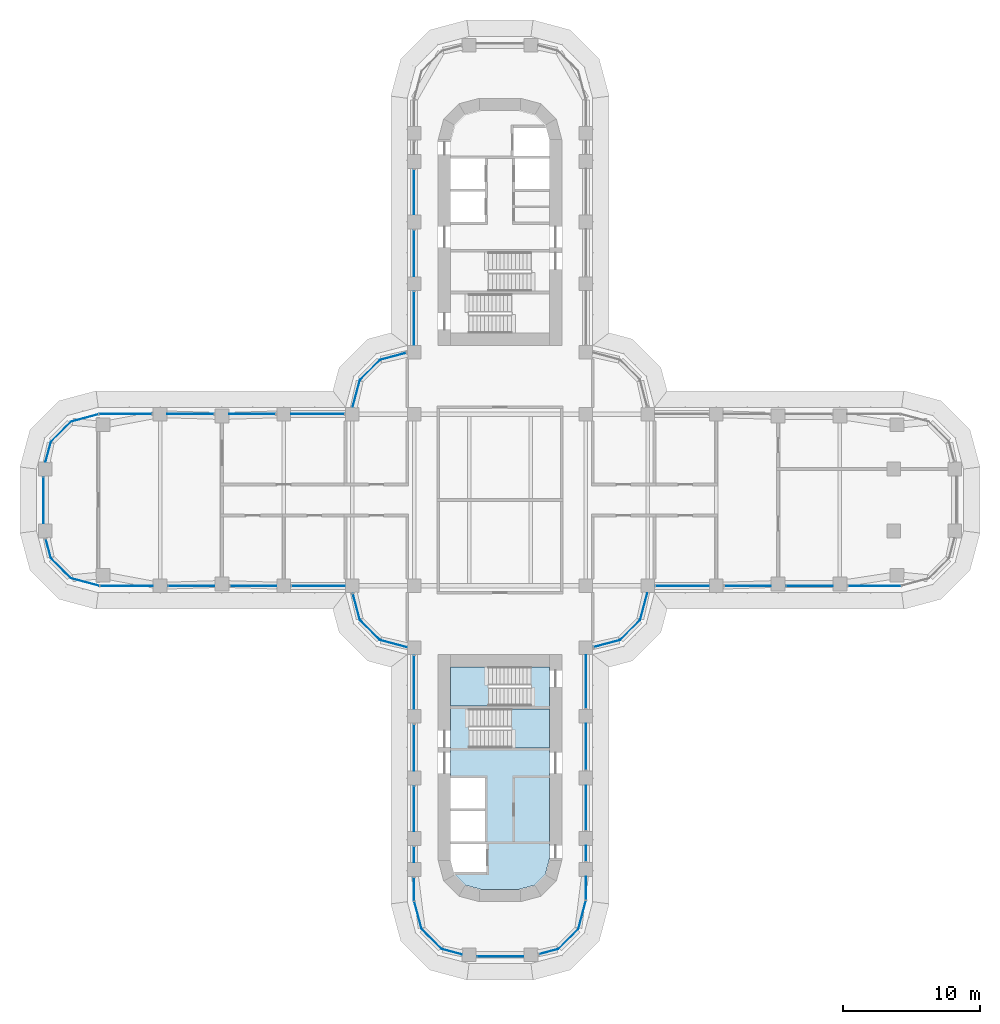
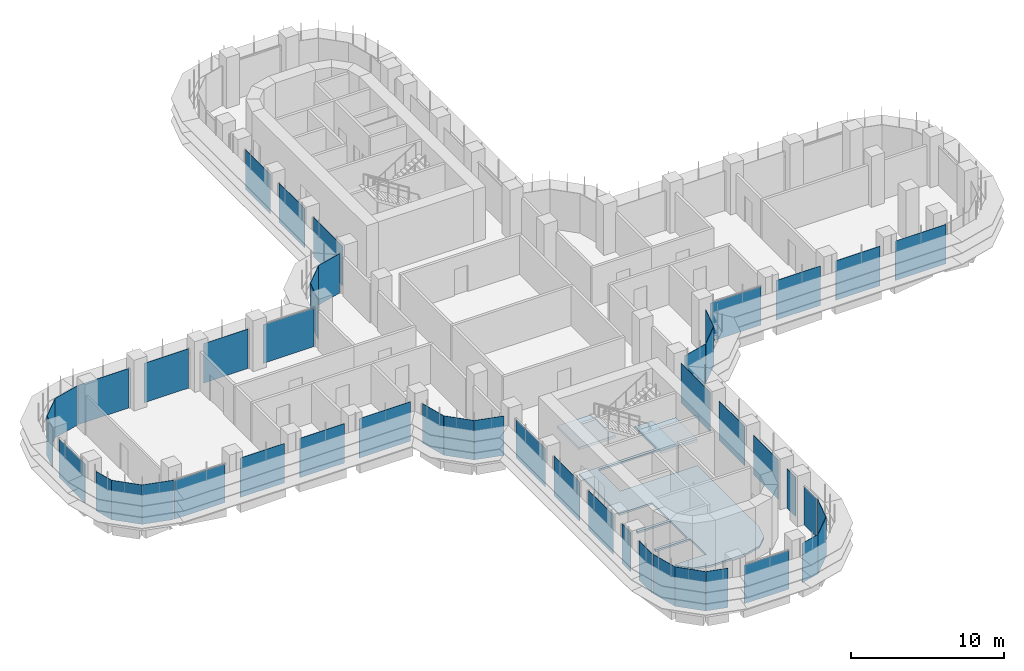
# One storey, part 13 of 23: 48 plates, 3 slabs, 31 elements without a shape of their own.
"""IFC4 building model written with IfcOpenShell, lengths in metres."""

from ifc_helpers import new_model, si_unit, direction, frame, origin, place, context, subcontext, project, spatial, polyline, outline, extrude, source, transform, mapped, material, layer, layer_set, type_object, element, aggregate, save


model = new_model("IFC4")

# Units and contexts
model_context = context("Model", 3, precision=1e-05, world=origin(), true_north=direction((0.0, 1.0)))
body_context = subcontext(model_context, "Body", "Model", "MODEL_VIEW")
ifc_project = project(units=[si_unit("LENGTHUNIT", "METRE"), si_unit("AREAUNIT", "SQUARE_METRE"), si_unit("VOLUMEUNIT", "CUBIC_METRE"), si_unit("PLANEANGLEUNIT", "RADIAN"), si_unit("MASSUNIT", "GRAM", prefix="KILO")], contexts=[model_context])

# Site, building, storey
site_placement = place(None, origin())
site = spatial("IfcSite", under=ifc_project, at=site_placement, CompositionType="ELEMENT")
building_placement = place(site_placement, origin())
building = spatial("IfcBuilding", under=site, at=building_placement, Name="Zarbagh Exchange Tower", CompositionType="ELEMENT")
storey_placement = place(building_placement, frame((0.0, 0.0, 43.800048828125)))
storey = spatial("IfcBuildingStorey", under=building, at=storey_placement, Name="L09", CompositionType="ELEMENT", Elevation=43.800048828125)

# Slab
ifc_material_1 = material(Name="Concrete C40/50", Category="concrete")
ifc_layer_1 = layer(ifc_material_1, 0.14990234375)
ifc_layer_set_1 = layer_set([ifc_layer_1], Name="Core floor slab 150 C40/50")
slab_type_1 = type_object("IfcSlabType", Name="Core floor slab 150 C40/50", PredefinedType="FLOOR", material=ifc_layer_set_1)
slab_1_placement = place(storey_placement, frame((0.0, 0.0, -0.150146484375)))
element("IfcSlab", 1, at=slab_1_placement, inside=storey, type_object=slab_type_1, Name="S17 core S", PredefinedType="FLOOR", context=body_context, shape_type="SweptSolid", body=[
    extrude(outline(polyline([(-2.5341796875, -28.041259765625), (-3.291259765625, -27.2841796875), (-3.340576171875, -27.10009765625), (-1.0, -27.10009765625), (-1.0, -25.050048828125), (-3.60009765625, -25.050048828125), (-3.60009765625, -24.85009765625), (-1.10009765625, -24.85009765625), (-1.10009765625, -22.64990234375), (-3.60009765625, -22.64990234375), (-3.60009765625, -22.449951171875), (-1.10009765625, -22.449951171875), (-1.10009765625, -20.25), (-3.60009765625, -20.25), (-3.60009765625, -15.0), (2.25, -15.0), (2.25, -12.14990234375), (3.60009765625, -12.14990234375), (3.60009765625, -15.199951171875), (-2.25, -15.199951171875), (-2.25, -18.050048828125), (3.60009765625, -18.050048828125), (3.60009765625, -26.131591796875), (3.291259765625, -27.2841796875), (2.5341796875, -28.041259765625), (1.381591796875, -28.35009765625), (-1.381591796875, -28.35009765625), (-2.5341796875, -28.041259765625)])), origin(), (0.0, 0.0, 1.0), 0.150146484375),
])

# Stair, slab
stair_type = type_object("IfcStairType", Name="Exit stair two-flight half-turn", PredefinedType="HALF_TURN_STAIR", material=ifc_material_1)
stair_1_placement = place(storey_placement, origin())
stair_1 = element("IfcStair", 2, at=stair_1_placement, inside=storey, type_object=stair_type, Name="exit stair ST3", PredefinedType="HALF_TURN_STAIR")
ifc_layer_2 = layer(ifc_material_1, 0.199951171875)
ifc_layer_set_2 = layer_set([ifc_layer_2], Name="Stair landing 200 mm")
slab_type_2 = type_object("IfcSlabType", Name="Stair landing 200 mm", PredefinedType="LANDING", material=ifc_layer_set_2)
slab_2_placement = place(storey_placement, frame((0.0, 0.0, 1.89990234375)))
slab_2 = element("IfcSlab", 3, at=slab_2_placement, type_object=slab_type_2, Name="ST3 landing 1", PredefinedType="LANDING", context=body_context, shape_type="SweptSolid", body=[
    extrude(outline(polyline([(0.830078125, -18.050048828125), (3.60009765625, -18.050048828125), (3.60009765625, -15.199951171875), (0.830078125, -15.199951171875), (0.830078125, -18.050048828125)])), origin(), (0.0, 0.0, 1.0), 0.199951171875),
])
aggregate(stair_1, [slab_2])

stair_2_placement = place(storey_placement, origin())
stair_2 = element("IfcStair", 4, at=stair_2_placement, inside=storey, type_object=stair_type, Name="exit stair ST4", PredefinedType="HALF_TURN_STAIR")
slab_3_placement = place(storey_placement, frame((0.0, 0.0, 1.89990234375)))
slab_3 = element("IfcSlab", 5, at=slab_3_placement, type_object=slab_type_2, Name="ST4 landing 1", PredefinedType="LANDING", context=body_context, shape_type="SweptSolid", body=[
    extrude(outline(polyline([(-0.830078125, -12.14990234375), (-3.60009765625, -12.14990234375), (-3.60009765625, -15.0), (-0.830078125, -15.0), (-0.830078125, -12.14990234375)])), origin(), (0.0, 0.0, 1.0), 0.199951171875),
])
aggregate(stair_2, [slab_3])

# Curtain wall, plate
ifc_material_2 = material(Name="Anodised aluminium frame and glazing", Category="aluminium")
curtain_wall_type = type_object("IfcCurtainWallType", Name="CWA Ribbon glazing, lower zones", PredefinedType="NOTDEFINED", material=ifc_material_2)
curtain_wall_1_placement = place(storey_placement, origin())
curtain_wall_1 = element("IfcCurtainWall", 6, at=curtain_wall_1_placement, inside=storey, type_object=curtain_wall_type, Name="CWA01 curtain wall", PredefinedType="NOTDEFINED")
ifc_material_3 = material(Name="Low-e double glazed unit, 6+12+6 mm")
ifc_layer_3 = layer(ifc_material_3, 0.028076171875)
ifc_layer_set_3 = layer_set([ifc_layer_3], Name="PAA Glazing panel, Low-e double glazed unit, 6+12+6 mm")
plate_type = type_object("IfcPlateType", Name="PAA Glazing panel, Low-e double glazed unit, 6+12+6 mm", PredefinedType="CURTAIN_PANEL", material=ifc_layer_set_3)
shared_shape_1 = source(origin(), body_context, "Body", "SweptSolid", [
    extrude(outline(polyline([(0.0, -0.013916015625), (1.4423828125, -0.013916015625), (1.4423828125, 0.013916015625), (0.0, 0.013916015625), (0.0, -0.013916015625)])), origin(), (0.0, 0.0, 1.0), 3.14990234375),
])
placement = place(storey_placement, origin())
plate_1 = element("IfcPlate", 7, at=placement, type_object=plate_type, Name="CWA01 glazing panel 1.1", PredefinedType="CURTAIN_PANEL", context=body_context, shape_type="MappedRepresentation", body=[
    mapped(shared_shape_1, transform((2.847900390625, -33.072021484375, 0.0), x_axis=(0.965924289636, 0.258824779902, 0.0), y_axis=(-0.258824779902, 0.965924289636, 0.0), z_axis=(0.0, 0.0, 1.0))),
])
aggregate(curtain_wall_1, [plate_1])

curtain_wall_2_placement = place(storey_placement, origin())
curtain_wall_2 = element("IfcCurtainWall", 8, at=curtain_wall_2_placement, inside=storey, type_object=curtain_wall_type, Name="CWA37 curtain wall", PredefinedType="NOTDEFINED")
plate_2 = element("IfcPlate", 9, at=placement, type_object=plate_type, Name="CWA37 glazing panel 1.1", PredefinedType="CURTAIN_PANEL", context=body_context, shape_type="MappedRepresentation", body=[
    mapped(shared_shape_1, transform((-33.072021484375, -2.847900390625, 0.0), x_axis=(0.258824779902, -0.965924289636, 0.0), y_axis=(0.965924289636, 0.258824779902, 0.0), z_axis=(0.0, 0.0, 1.0))),
])
aggregate(curtain_wall_2, [plate_2])

curtain_wall_3_placement = place(storey_placement, origin())
curtain_wall_3 = element("IfcCurtainWall", 10, at=curtain_wall_3_placement, inside=storey, type_object=curtain_wall_type, Name="CWA02 curtain wall", PredefinedType="NOTDEFINED")
shared_shape_2 = source(origin(), body_context, "Body", "SweptSolid", [
    extrude(outline(polyline([(0.0, -0.013916015625), (2.061279296875, -0.013916015625), (2.061279296875, 0.013916015625), (0.0, 0.013916015625), (0.0, -0.013916015625)])), origin(), (0.0, 0.0, 1.0), 3.14990234375),
])
plate_3 = element("IfcPlate", 11, at=placement, type_object=plate_type, Name="CWA02 glazing panel 1.1", PredefinedType="CURTAIN_PANEL", context=body_context, shape_type="MappedRepresentation", body=[
    mapped(shared_shape_2, transform((4.2412109375, -32.69873046875, 0.0), x_axis=(0.707106781187, 0.707106781187, 0.0), y_axis=(-0.707106781187, 0.707106781187, 0.0), z_axis=(0.0, 0.0, 1.0))),
])
aggregate(curtain_wall_3, [plate_3])

curtain_wall_4_placement = place(storey_placement, origin())
curtain_wall_4 = element("IfcCurtainWall", 12, at=curtain_wall_4_placement, inside=storey, type_object=curtain_wall_type, Name="CWA06 curtain wall", PredefinedType="NOTDEFINED")
plate_4 = element("IfcPlate", 13, at=placement, type_object=plate_type, Name="CWA06 glazing panel 1.1", PredefinedType="CURTAIN_PANEL", context=body_context, shape_type="MappedRepresentation", body=[
    mapped(shared_shape_2, transform((8.7412109375, -10.19873046875, 0.0), x_axis=(0.707106781187, 0.707106781187, 0.0), y_axis=(-0.707106781187, 0.707106781187, 0.0), z_axis=(0.0, 0.0, 1.0))),
])
aggregate(curtain_wall_4, [plate_4])

curtain_wall_5_placement = place(storey_placement, origin())
curtain_wall_5 = element("IfcCurtainWall", 14, at=curtain_wall_5_placement, inside=storey, type_object=curtain_wall_type, Name="CWA30 curtain wall", PredefinedType="NOTDEFINED")
plate_5 = element("IfcPlate", 15, at=placement, type_object=plate_type, Name="CWA30 glazing panel 1.1", PredefinedType="CURTAIN_PANEL", context=body_context, shape_type="MappedRepresentation", body=[
    mapped(shared_shape_2, transform((-8.7412109375, 10.19873046875, 0.0), x_axis=(-0.707106781187, -0.707106781187, 0.0), y_axis=(0.707106781187, -0.707106781187, 0.0), z_axis=(0.0, 0.0, 1.0))),
])
aggregate(curtain_wall_5, [plate_5])

curtain_wall_6_placement = place(storey_placement, origin())
curtain_wall_6 = element("IfcCurtainWall", 16, at=curtain_wall_6_placement, inside=storey, type_object=curtain_wall_type, Name="CWA34 curtain wall", PredefinedType="NOTDEFINED")
plate_6 = element("IfcPlate", 17, at=placement, type_object=plate_type, Name="CWA34 glazing panel 1.1", PredefinedType="CURTAIN_PANEL", context=body_context, shape_type="MappedRepresentation", body=[
    mapped(shared_shape_2, transform((-31.2412109375, 5.69873046875, 0.0), x_axis=(-0.707106781187, -0.707106781187, 0.0), y_axis=(0.707106781187, -0.707106781187, 0.0), z_axis=(0.0, 0.0, 1.0))),
])
aggregate(curtain_wall_6, [plate_6])

curtain_wall_7_placement = place(storey_placement, origin())
curtain_wall_7 = element("IfcCurtainWall", 18, at=curtain_wall_7_placement, inside=storey, type_object=curtain_wall_type, Name="CWA38 curtain wall", PredefinedType="NOTDEFINED")
plate_7 = element("IfcPlate", 19, at=placement, type_object=plate_type, Name="CWA38 glazing panel 1.1", PredefinedType="CURTAIN_PANEL", context=body_context, shape_type="MappedRepresentation", body=[
    mapped(shared_shape_2, transform((-32.69873046875, -4.2412109375, 0.0), x_axis=(0.707106781187, -0.707106781187, 0.0), y_axis=(0.707106781187, 0.707106781187, 0.0), z_axis=(0.0, 0.0, 1.0))),
])
aggregate(curtain_wall_7, [plate_7])

curtain_wall_8_placement = place(storey_placement, origin())
curtain_wall_8 = element("IfcCurtainWall", 20, at=curtain_wall_8_placement, inside=storey, type_object=curtain_wall_type, Name="CWA42 curtain wall", PredefinedType="NOTDEFINED")
plate_8 = element("IfcPlate", 21, at=placement, type_object=plate_type, Name="CWA42 glazing panel 1.1", PredefinedType="CURTAIN_PANEL", context=body_context, shape_type="MappedRepresentation", body=[
    mapped(shared_shape_2, transform((-10.19873046875, -8.7412109375, 0.0), x_axis=(0.707106781187, -0.707106781187, 0.0), y_axis=(0.707106781187, 0.707106781187, 0.0), z_axis=(0.0, 0.0, 1.0))),
])
aggregate(curtain_wall_8, [plate_8])

curtain_wall_9_placement = place(storey_placement, origin())
curtain_wall_9 = element("IfcCurtainWall", 22, at=curtain_wall_9_placement, inside=storey, type_object=curtain_wall_type, Name="CWA46 curtain wall", PredefinedType="NOTDEFINED")
plate_9 = element("IfcPlate", 23, at=placement, type_object=plate_type, Name="CWA46 glazing panel 1.1", PredefinedType="CURTAIN_PANEL", context=body_context, shape_type="MappedRepresentation", body=[
    mapped(shared_shape_2, transform((-5.69873046875, -31.2412109375, 0.0), x_axis=(0.707106781187, -0.707106781187, 0.0), y_axis=(0.707106781187, 0.707106781187, 0.0), z_axis=(0.0, 0.0, 1.0))),
])
aggregate(curtain_wall_9, [plate_9])

curtain_wall_10_placement = place(storey_placement, origin())
curtain_wall_10 = element("IfcCurtainWall", 24, at=curtain_wall_10_placement, inside=storey, type_object=curtain_wall_type, Name="CWA03 curtain wall", PredefinedType="NOTDEFINED")
shared_shape_3 = source(origin(), body_context, "Body", "SweptSolid", [
    extrude(outline(polyline([(0.0, -0.013916015625), (2.129638671875, -0.013916015625), (2.129638671875, 0.013916015625), (0.0, 0.013916015625), (0.0, -0.013916015625)])), origin(), (0.0, 0.0, 1.0), 3.14990234375),
])
plate_10 = element("IfcPlate", 25, at=placement, type_object=plate_type, Name="CWA03 glazing panel 1.1", PredefinedType="CURTAIN_PANEL", context=body_context, shape_type="MappedRepresentation", body=[
    mapped(shared_shape_3, transform((5.69873046875, -31.2412109375, 0.0), x_axis=(0.258824779902, 0.965924289636, 0.0), y_axis=(-0.965924289636, 0.258824779902, 0.0), z_axis=(0.0, 0.0, 1.0))),
])
aggregate(curtain_wall_10, [plate_10])

curtain_wall_11_placement = place(storey_placement, origin())
curtain_wall_11 = element("IfcCurtainWall", 26, at=curtain_wall_11_placement, inside=storey, type_object=curtain_wall_type, Name="CWA39 curtain wall", PredefinedType="NOTDEFINED")
plate_11 = element("IfcPlate", 27, at=placement, type_object=plate_type, Name="CWA39 glazing panel 1.1", PredefinedType="CURTAIN_PANEL", context=body_context, shape_type="MappedRepresentation", body=[
    mapped(shared_shape_3, transform((-31.2412109375, -5.69873046875, 0.0), x_axis=(0.965924289636, -0.258824779902, 0.0), y_axis=(0.258824779902, 0.965924289636, 0.0), z_axis=(0.0, 0.0, 1.0))),
])
aggregate(curtain_wall_11, [plate_11])

# Curtain wall, plates
curtain_wall_12_placement = place(storey_placement, origin())
curtain_wall_12 = element("IfcCurtainWall", 28, at=curtain_wall_12_placement, inside=storey, type_object=curtain_wall_type, Name="CWA04 curtain wall", PredefinedType="NOTDEFINED")
shared_shape_4 = source(origin(), body_context, "Body", "SweptSolid", [
    extrude(outline(polyline([(0.0, -0.013916015625), (1.68408203125, -0.013916015625), (1.68408203125, 0.013916015625), (0.0, 0.013916015625), (0.0, -0.013916015625)])), origin(), (0.0, 0.0, 1.0), 3.090087890625),
])
plate_12 = element("IfcPlate", 29, at=placement, type_object=plate_type, Name="CWA04 glazing panel 1.1", PredefinedType="CURTAIN_PANEL", context=body_context, shape_type="MappedRepresentation", body=[
    mapped(shared_shape_4, transform((6.25, -29.124267578125, 0.0), x_axis=(0.0, 1.0, 0.0), y_axis=(-1.0, 0.0, 0.0), z_axis=(0.0, 0.0, 1.0))),
])
shared_shape_5 = source(origin(), body_context, "Body", "SweptSolid", [
    extrude(outline(polyline([(0.0, -0.013916015625), (1.110107421875, -0.013916015625), (1.110107421875, 0.013916015625), (0.0, 0.013916015625), (0.0, -0.013916015625)])), origin(), (0.0, 0.0, 1.0), 3.14990234375),
])
plate_13 = element("IfcPlate", 30, at=placement, type_object=plate_type, Name="CWA04 glazing panel 2.1", PredefinedType="CURTAIN_PANEL", context=body_context, shape_type="MappedRepresentation", body=[
    mapped(shared_shape_5, transform((6.25, -26.300048828125, 0.0), x_axis=(0.0, 1.0, 0.0), y_axis=(-1.0, 0.0, 0.0), z_axis=(0.0, 0.0, 1.0))),
])

# Curtain wall, plate
curtain_wall_13_placement = place(storey_placement, origin())
curtain_wall_13 = element("IfcCurtainWall", 31, at=curtain_wall_13_placement, inside=storey, type_object=curtain_wall_type, Name="CWA44 curtain wall", PredefinedType="NOTDEFINED")
plate_14 = element("IfcPlate", 32, at=placement, type_object=plate_type, Name="CWA44 glazing panel 4.1", PredefinedType="CURTAIN_PANEL", context=body_context, shape_type="MappedRepresentation", body=[
    mapped(shared_shape_5, transform((-6.25, -25.25, 0.0), x_axis=(0.0, -1.0, 0.0), y_axis=(1.0, 0.0, 0.0), z_axis=(0.0, 0.0, 1.0))),
])

# Plate
shared_shape_6 = source(origin(), body_context, "Body", "SweptSolid", [
    extrude(outline(polyline([(0.0, -0.013916015625), (3.260009765625, -0.013916015625), (3.260009765625, 0.013916015625), (0.0, 0.013916015625), (0.0, -0.013916015625)])), origin(), (0.0, 0.0, 1.0), 3.14990234375),
])
plate_15 = element("IfcPlate", 33, at=placement, type_object=plate_type, Name="CWA04 glazing panel 3.1", PredefinedType="CURTAIN_PANEL", context=body_context, shape_type="MappedRepresentation", body=[
    mapped(shared_shape_6, transform((6.25, -24.050048828125, 0.0), x_axis=(0.0, 1.0, 0.0), y_axis=(-1.0, 0.0, 0.0), z_axis=(0.0, 0.0, 1.0))),
])

# Curtain wall, plate
curtain_wall_14_placement = place(storey_placement, origin())
curtain_wall_14 = element("IfcCurtainWall", 34, at=curtain_wall_14_placement, inside=storey, type_object=curtain_wall_type, Name="CWA28 curtain wall", PredefinedType="NOTDEFINED")
plate_16 = element("IfcPlate", 35, at=placement, type_object=plate_type, Name="CWA28 glazing panel 3.1", PredefinedType="CURTAIN_PANEL", context=body_context, shape_type="MappedRepresentation", body=[
    mapped(shared_shape_6, transform((-6.25, 24.050048828125, 0.0), x_axis=(0.0, -1.0, 0.0), y_axis=(1.0, 0.0, 0.0), z_axis=(0.0, 0.0, 1.0))),
])

# Plate
plate_17 = element("IfcPlate", 36, at=placement, type_object=plate_type, Name="CWA44 glazing panel 3.1", PredefinedType="CURTAIN_PANEL", context=body_context, shape_type="MappedRepresentation", body=[
    mapped(shared_shape_6, transform((-6.25, -20.85009765625, 0.0), x_axis=(0.0, -1.0, 0.0), y_axis=(1.0, 0.0, 0.0), z_axis=(0.0, 0.0, 1.0))),
])

shared_shape_7 = source(origin(), body_context, "Body", "SweptSolid", [
    extrude(outline(polyline([(0.0, -0.013916015625), (3.360107421875, -0.013916015625), (3.360107421875, 0.013916015625), (0.0, 0.013916015625), (0.0, -0.013916015625)])), origin(), (0.0, 0.0, 1.0), 3.14990234375),
])
plate_18 = element("IfcPlate", 37, at=placement, type_object=plate_type, Name="CWA04 glazing panel 4.1", PredefinedType="CURTAIN_PANEL", context=body_context, shape_type="MappedRepresentation", body=[
    mapped(shared_shape_7, transform((6.25, -19.64990234375, 0.0), x_axis=(0.0, 1.0, 0.0), y_axis=(-1.0, 0.0, 0.0), z_axis=(0.0, 0.0, 1.0))),
])

# Curtain wall, plates
curtain_wall_15_placement = place(storey_placement, origin())
curtain_wall_15 = element("IfcCurtainWall", 38, at=curtain_wall_15_placement, inside=storey, type_object=curtain_wall_type, Name="CWA08 curtain wall", PredefinedType="NOTDEFINED")
plate_19 = element("IfcPlate", 39, at=placement, type_object=plate_type, Name="CWA08 glazing panel 2.1", PredefinedType="CURTAIN_PANEL", context=body_context, shape_type="MappedRepresentation", body=[
    mapped(shared_shape_7, transform((16.35009765625, -6.25, 0.0), x_axis=(1.0, 0.0, 0.0), y_axis=(0.0, 1.0, 0.0), z_axis=(0.0, 0.0, 1.0))),
])
plate_20 = element("IfcPlate", 40, at=placement, type_object=plate_type, Name="CWA08 glazing panel 3.1", PredefinedType="CURTAIN_PANEL", context=body_context, shape_type="MappedRepresentation", body=[
    mapped(shared_shape_7, transform((20.85009765625, -6.25, 0.0), x_axis=(1.0, 0.0, 0.0), y_axis=(0.0, 1.0, 0.0), z_axis=(0.0, 0.0, 1.0))),
])

# Plate
plate_21 = element("IfcPlate", 41, at=placement, type_object=plate_type, Name="CWA28 glazing panel 4.1", PredefinedType="CURTAIN_PANEL", context=body_context, shape_type="MappedRepresentation", body=[
    mapped(shared_shape_7, transform((-6.25, 19.64990234375, 0.0), x_axis=(0.0, -1.0, 0.0), y_axis=(1.0, 0.0, 0.0), z_axis=(0.0, 0.0, 1.0))),
])

# Curtain wall, plates
curtain_wall_16_placement = place(storey_placement, origin())
curtain_wall_16 = element("IfcCurtainWall", 42, at=curtain_wall_16_placement, inside=storey, type_object=curtain_wall_type, Name="CWA32 curtain wall", PredefinedType="NOTDEFINED")
plate_22 = element("IfcPlate", 43, at=placement, type_object=plate_type, Name="CWA32 glazing panel 2.1", PredefinedType="CURTAIN_PANEL", context=body_context, shape_type="MappedRepresentation", body=[
    mapped(shared_shape_7, transform((-16.35009765625, 6.25, 0.0), x_axis=(-1.0, 0.0, 0.0), y_axis=(0.0, -1.0, 0.0), z_axis=(0.0, 0.0, 1.0))),
])
plate_23 = element("IfcPlate", 44, at=placement, type_object=plate_type, Name="CWA32 glazing panel 3.1", PredefinedType="CURTAIN_PANEL", context=body_context, shape_type="MappedRepresentation", body=[
    mapped(shared_shape_7, transform((-20.85009765625, 6.25, 0.0), x_axis=(-1.0, 0.0, 0.0), y_axis=(0.0, -1.0, 0.0), z_axis=(0.0, 0.0, 1.0))),
])

curtain_wall_17_placement = place(storey_placement, origin())
curtain_wall_17 = element("IfcCurtainWall", 45, at=curtain_wall_17_placement, inside=storey, type_object=curtain_wall_type, Name="CWA40 curtain wall", PredefinedType="NOTDEFINED")
plate_24 = element("IfcPlate", 46, at=placement, type_object=plate_type, Name="CWA40 glazing panel 2.1", PredefinedType="CURTAIN_PANEL", context=body_context, shape_type="MappedRepresentation", body=[
    mapped(shared_shape_7, transform((-24.14990234375, -6.25, 0.0), x_axis=(1.0, 0.0, 0.0), y_axis=(0.0, 1.0, 0.0), z_axis=(0.0, 0.0, 1.0))),
])
plate_25 = element("IfcPlate", 47, at=placement, type_object=plate_type, Name="CWA40 glazing panel 3.1", PredefinedType="CURTAIN_PANEL", context=body_context, shape_type="MappedRepresentation", body=[
    mapped(shared_shape_7, transform((-19.64990234375, -6.25, 0.0), x_axis=(1.0, 0.0, 0.0), y_axis=(0.0, 1.0, 0.0), z_axis=(0.0, 0.0, 1.0))),
])

# Plate
plate_26 = element("IfcPlate", 48, at=placement, type_object=plate_type, Name="CWA44 glazing panel 2.1", PredefinedType="CURTAIN_PANEL", context=body_context, shape_type="MappedRepresentation", body=[
    mapped(shared_shape_7, transform((-6.25, -16.35009765625, 0.0), x_axis=(0.0, -1.0, 0.0), y_axis=(1.0, 0.0, 0.0), z_axis=(0.0, 0.0, 1.0))),
])

# Curtain wall, plate
curtain_wall_18_placement = place(storey_placement, origin())
curtain_wall_18 = element("IfcCurtainWall", 49, at=curtain_wall_18_placement, inside=storey, type_object=curtain_wall_type, Name="CWA05 curtain wall", PredefinedType="NOTDEFINED")
shared_shape_8 = source(origin(), body_context, "Body", "SweptSolid", [
    extrude(outline(polyline([(0.0, -0.013916015625), (1.9599609375, -0.013916015625), (1.9599609375, 0.013916015625), (0.0, 0.013916015625), (0.0, -0.013916015625)])), origin(), (0.0, 0.0, 1.0), 3.14990234375),
])
plate_27 = element("IfcPlate", 50, at=placement, type_object=plate_type, Name="CWA05 glazing panel 1.1", PredefinedType="CURTAIN_PANEL", context=body_context, shape_type="MappedRepresentation", body=[
    mapped(shared_shape_8, transform((6.847900390625, -10.7060546875, 0.0), x_axis=(0.965924289636, 0.258824779902, 0.0), y_axis=(-0.258824779902, 0.965924289636, 0.0), z_axis=(0.0, 0.0, 1.0))),
])
aggregate(curtain_wall_18, [plate_27])

curtain_wall_19_placement = place(storey_placement, origin())
curtain_wall_19 = element("IfcCurtainWall", 51, at=curtain_wall_19_placement, inside=storey, type_object=curtain_wall_type, Name="CWA29 curtain wall", PredefinedType="NOTDEFINED")
plate_28 = element("IfcPlate", 52, at=placement, type_object=plate_type, Name="CWA29 glazing panel 1.1", PredefinedType="CURTAIN_PANEL", context=body_context, shape_type="MappedRepresentation", body=[
    mapped(shared_shape_8, transform((-6.847900390625, 10.7060546875, 0.0), x_axis=(-0.965924289636, -0.258824779902, 0.0), y_axis=(0.258824779902, -0.965924289636, 0.0), z_axis=(0.0, 0.0, 1.0))),
])
aggregate(curtain_wall_19, [plate_28])

curtain_wall_20_placement = place(storey_placement, origin())
curtain_wall_20 = element("IfcCurtainWall", 53, at=curtain_wall_20_placement, inside=storey, type_object=curtain_wall_type, Name="CWA41 curtain wall", PredefinedType="NOTDEFINED")
plate_29 = element("IfcPlate", 54, at=placement, type_object=plate_type, Name="CWA41 glazing panel 1.1", PredefinedType="CURTAIN_PANEL", context=body_context, shape_type="MappedRepresentation", body=[
    mapped(shared_shape_8, transform((-10.7060546875, -6.847900390625, 0.0), x_axis=(0.258824779902, -0.965924289636, 0.0), y_axis=(0.965924289636, 0.258824779902, 0.0), z_axis=(0.0, 0.0, 1.0))),
])
aggregate(curtain_wall_20, [plate_29])

curtain_wall_21_placement = place(storey_placement, origin())
curtain_wall_21 = element("IfcCurtainWall", 55, at=curtain_wall_21_placement, inside=storey, type_object=curtain_wall_type, Name="CWA07 curtain wall", PredefinedType="NOTDEFINED")
shared_shape_9 = source(origin(), body_context, "Body", "SweptSolid", [
    extrude(outline(polyline([(0.0, -0.013916015625), (2.02001953125, -0.013916015625), (2.02001953125, 0.013916015625), (0.0, 0.013916015625), (0.0, -0.013916015625)])), origin(), (0.0, 0.0, 1.0), 3.14990234375),
])
plate_30 = element("IfcPlate", 56, at=placement, type_object=plate_type, Name="CWA07 glazing panel 1.1", PredefinedType="CURTAIN_PANEL", context=body_context, shape_type="MappedRepresentation", body=[
    mapped(shared_shape_9, transform((10.19873046875, -8.7412109375, 0.0), x_axis=(0.258824779902, 0.965924289636, 0.0), y_axis=(-0.965924289636, 0.258824779902, 0.0), z_axis=(0.0, 0.0, 1.0))),
])
aggregate(curtain_wall_21, [plate_30])

curtain_wall_22_placement = place(storey_placement, origin())
curtain_wall_22 = element("IfcCurtainWall", 57, at=curtain_wall_22_placement, inside=storey, type_object=curtain_wall_type, Name="CWA31 curtain wall", PredefinedType="NOTDEFINED")
plate_31 = element("IfcPlate", 58, at=placement, type_object=plate_type, Name="CWA31 glazing panel 1.1", PredefinedType="CURTAIN_PANEL", context=body_context, shape_type="MappedRepresentation", body=[
    mapped(shared_shape_9, transform((-10.19873046875, 8.7412109375, 0.0), x_axis=(-0.258824779902, -0.965924289636, 0.0), y_axis=(0.965924289636, -0.258824779902, 0.0), z_axis=(0.0, 0.0, 1.0))),
])
aggregate(curtain_wall_22, [plate_31])

curtain_wall_23_placement = place(storey_placement, origin())
curtain_wall_23 = element("IfcCurtainWall", 59, at=curtain_wall_23_placement, inside=storey, type_object=curtain_wall_type, Name="CWA43 curtain wall", PredefinedType="NOTDEFINED")
plate_32 = element("IfcPlate", 60, at=placement, type_object=plate_type, Name="CWA43 glazing panel 1.1", PredefinedType="CURTAIN_PANEL", context=body_context, shape_type="MappedRepresentation", body=[
    mapped(shared_shape_9, transform((-8.7412109375, -10.19873046875, 0.0), x_axis=(0.965924289636, -0.258824779902, 0.0), y_axis=(0.258824779902, 0.965924289636, 0.0), z_axis=(0.0, 0.0, 1.0))),
])
aggregate(curtain_wall_23, [plate_32])

# Plate
shared_shape_10 = source(origin(), body_context, "Body", "SweptSolid", [
    extrude(outline(polyline([(0.0, -0.013916015625), (3.860107421875, -0.013916015625), (3.860107421875, 0.013916015625), (0.0, 0.013916015625), (0.0, -0.013916015625)])), origin(), (0.0, 0.0, 1.0), 3.090087890625),
])
plate_33 = element("IfcPlate", 61, at=placement, type_object=plate_type, Name="CWA08 glazing panel 1.1", PredefinedType="CURTAIN_PANEL", context=body_context, shape_type="MappedRepresentation", body=[
    mapped(shared_shape_10, transform((11.35009765625, -6.25, 0.0), x_axis=(1.0, 0.0, 0.0), y_axis=(0.0, 1.0, 0.0), z_axis=(0.0, 0.0, 1.0))),
])

plate_34 = element("IfcPlate", 62, at=placement, type_object=plate_type, Name="CWA32 glazing panel 1.1", PredefinedType="CURTAIN_PANEL", context=body_context, shape_type="MappedRepresentation", body=[
    mapped(shared_shape_10, transform((-11.35009765625, 6.25, 0.0), x_axis=(-1.0, 0.0, 0.0), y_axis=(0.0, -1.0, 0.0), z_axis=(0.0, 0.0, 1.0))),
])

plate_35 = element("IfcPlate", 63, at=placement, type_object=plate_type, Name="CWA44 glazing panel 1.1", PredefinedType="CURTAIN_PANEL", context=body_context, shape_type="MappedRepresentation", body=[
    mapped(shared_shape_10, transform((-6.25, -11.35009765625, 0.0), x_axis=(0.0, -1.0, 0.0), y_axis=(1.0, 0.0, 0.0), z_axis=(0.0, 0.0, 1.0))),
])

shared_shape_11 = source(origin(), body_context, "Body", "SweptSolid", [
    extrude(outline(polyline([(0.0, -0.013916015625), (3.833984375, -0.013916015625), (3.833984375, 0.013916015625), (0.0, 0.013916015625), (0.0, -0.013916015625)])), origin(), (0.0, 0.0, 1.0), 3.14990234375),
])
plate_36 = element("IfcPlate", 64, at=placement, type_object=plate_type, Name="CWA08 glazing panel 4.1", PredefinedType="CURTAIN_PANEL", context=body_context, shape_type="MappedRepresentation", body=[
    mapped(shared_shape_11, transform((25.35009765625, -6.25, 0.0), x_axis=(1.0, 0.0, 0.0), y_axis=(0.0, 1.0, 0.0), z_axis=(0.0, 0.0, 1.0))),
])

aggregate(curtain_wall_15, [plate_33, plate_19, plate_20, plate_36])

plate_37 = element("IfcPlate", 65, at=placement, type_object=plate_type, Name="CWA32 glazing panel 4.1", PredefinedType="CURTAIN_PANEL", context=body_context, shape_type="MappedRepresentation", body=[
    mapped(shared_shape_11, transform((-25.35009765625, 6.25, 0.0), x_axis=(-1.0, 0.0, 0.0), y_axis=(0.0, -1.0, 0.0), z_axis=(0.0, 0.0, 1.0))),
])

aggregate(curtain_wall_16, [plate_34, plate_22, plate_23, plate_37])

# Curtain wall, plate
curtain_wall_24_placement = place(storey_placement, origin())
curtain_wall_24 = element("IfcCurtainWall", 66, at=curtain_wall_24_placement, inside=storey, type_object=curtain_wall_type, Name="CWA33 curtain wall", PredefinedType="NOTDEFINED")
shared_shape_12 = source(origin(), body_context, "Body", "SweptSolid", [
    extrude(outline(polyline([(0.0, -0.013916015625), (2.069580078125, -0.013916015625), (2.069580078125, 0.013916015625), (0.0, 0.013916015625), (0.0, -0.013916015625)])), origin(), (0.0, 0.0, 1.0), 3.14990234375),
])
plate_38 = element("IfcPlate", 67, at=placement, type_object=plate_type, Name="CWA33 glazing panel 1.1", PredefinedType="CURTAIN_PANEL", context=body_context, shape_type="MappedRepresentation", body=[
    mapped(shared_shape_12, transform((-29.2421875, 6.234375, 0.0), x_axis=(-0.965924289636, -0.258824779902, 0.0), y_axis=(0.258824779902, -0.965924289636, 0.0), z_axis=(0.0, 0.0, 1.0))),
])
aggregate(curtain_wall_24, [plate_38])

curtain_wall_25_placement = place(storey_placement, origin())
curtain_wall_25 = element("IfcCurtainWall", 68, at=curtain_wall_25_placement, inside=storey, type_object=curtain_wall_type, Name="CWA45 curtain wall", PredefinedType="NOTDEFINED")
plate_39 = element("IfcPlate", 69, at=placement, type_object=plate_type, Name="CWA45 glazing panel 1.1", PredefinedType="CURTAIN_PANEL", context=body_context, shape_type="MappedRepresentation", body=[
    mapped(shared_shape_12, transform((-6.234375, -29.2421875, 0.0), x_axis=(0.258824779902, -0.965924289636, 0.0), y_axis=(0.965924289636, 0.258824779902, 0.0), z_axis=(0.0, 0.0, 1.0))),
])
aggregate(curtain_wall_25, [plate_39])

curtain_wall_26_placement = place(storey_placement, origin())
curtain_wall_26 = element("IfcCurtainWall", 70, at=curtain_wall_26_placement, inside=storey, type_object=curtain_wall_type, Name="CWA35 curtain wall", PredefinedType="NOTDEFINED")
shared_shape_13 = source(origin(), body_context, "Body", "SweptSolid", [
    extrude(outline(polyline([(0.0, -0.013916015625), (1.50244140625, -0.013916015625), (1.50244140625, 0.013916015625), (0.0, 0.013916015625), (0.0, -0.013916015625)])), origin(), (0.0, 0.0, 1.0), 3.14990234375),
])
plate_40 = element("IfcPlate", 71, at=placement, type_object=plate_type, Name="CWA35 glazing panel 1.1", PredefinedType="CURTAIN_PANEL", context=body_context, shape_type="MappedRepresentation", body=[
    mapped(shared_shape_13, transform((-32.69873046875, 4.2412109375, 0.0), x_axis=(-0.258824779902, -0.965924289636, 0.0), y_axis=(0.965924289636, -0.258824779902, 0.0), z_axis=(0.0, 0.0, 1.0))),
])
aggregate(curtain_wall_26, [plate_40])

curtain_wall_27_placement = place(storey_placement, origin())
curtain_wall_27 = element("IfcCurtainWall", 72, at=curtain_wall_27_placement, inside=storey, type_object=curtain_wall_type, Name="CWA47 curtain wall", PredefinedType="NOTDEFINED")
plate_41 = element("IfcPlate", 73, at=placement, type_object=plate_type, Name="CWA47 glazing panel 1.1", PredefinedType="CURTAIN_PANEL", context=body_context, shape_type="MappedRepresentation", body=[
    mapped(shared_shape_13, transform((-4.2412109375, -32.69873046875, 0.0), x_axis=(0.965924289636, -0.258824779902, 0.0), y_axis=(0.258824779902, 0.965924289636, 0.0), z_axis=(0.0, 0.0, 1.0))),
])
aggregate(curtain_wall_27, [plate_41])

curtain_wall_28_placement = place(storey_placement, origin())
curtain_wall_28 = element("IfcCurtainWall", 74, at=curtain_wall_28_placement, inside=storey, type_object=curtain_wall_type, Name="CWA36 curtain wall", PredefinedType="NOTDEFINED")
shared_shape_14 = source(origin(), body_context, "Body", "SweptSolid", [
    extrude(outline(polyline([(0.0, -0.013916015625), (3.360107421875, -0.013916015625), (3.360107421875, 0.013916015625), (0.0, 0.013916015625), (0.0, -0.013916015625)])), origin(), (0.0, 0.0, 1.0), 3.090087890625),
])
plate_42 = element("IfcPlate", 75, at=placement, type_object=plate_type, Name="CWA36 glazing panel 1.1", PredefinedType="CURTAIN_PANEL", context=body_context, shape_type="MappedRepresentation", body=[
    mapped(shared_shape_14, transform((-33.25, 1.64990234375, 0.0), x_axis=(0.0, -1.0, 0.0), y_axis=(1.0, 0.0, 0.0), z_axis=(0.0, 0.0, 1.0))),
])
aggregate(curtain_wall_28, [plate_42])

curtain_wall_29_placement = place(storey_placement, origin())
curtain_wall_29 = element("IfcCurtainWall", 76, at=curtain_wall_29_placement, inside=storey, type_object=curtain_wall_type, Name="CWA48 curtain wall", PredefinedType="NOTDEFINED")
plate_43 = element("IfcPlate", 77, at=placement, type_object=plate_type, Name="CWA48 glazing panel 1.1", PredefinedType="CURTAIN_PANEL", context=body_context, shape_type="MappedRepresentation", body=[
    mapped(shared_shape_14, transform((-1.64990234375, -33.25, 0.0), x_axis=(1.0, 0.0, 0.0), y_axis=(0.0, 1.0, 0.0), z_axis=(0.0, 0.0, 1.0))),
])
aggregate(curtain_wall_29, [plate_43])

# Plate
shared_shape_15 = source(origin(), body_context, "Body", "SweptSolid", [
    extrude(outline(polyline([(0.0, -0.013916015625), (3.834228515625, -0.013916015625), (3.834228515625, 0.013916015625), (0.0, 0.013916015625), (0.0, -0.013916015625)])), origin(), (0.0, 0.0, 1.0), 3.090087890625),
])
plate_44 = element("IfcPlate", 78, at=placement, type_object=plate_type, Name="CWA40 glazing panel 1.1", PredefinedType="CURTAIN_PANEL", context=body_context, shape_type="MappedRepresentation", body=[
    mapped(shared_shape_15, transform((-29.124267578125, -6.25, 0.0), x_axis=(1.0, 0.0, 0.0), y_axis=(0.0, 1.0, 0.0), z_axis=(0.0, 0.0, 1.0))),
])

shared_shape_16 = source(origin(), body_context, "Body", "SweptSolid", [
    extrude(outline(polyline([(0.0, -0.013916015625), (3.860107421875, -0.013916015625), (3.860107421875, 0.013916015625), (0.0, 0.013916015625), (0.0, -0.013916015625)])), origin(), (0.0, 0.0, 1.0), 3.14990234375),
])
plate_45 = element("IfcPlate", 79, at=placement, type_object=plate_type, Name="CWA04 glazing panel 5.1", PredefinedType="CURTAIN_PANEL", context=body_context, shape_type="MappedRepresentation", body=[
    mapped(shared_shape_16, transform((6.25, -15.14990234375, 0.0), x_axis=(0.0, 1.0, 0.0), y_axis=(-1.0, 0.0, 0.0), z_axis=(0.0, 0.0, 1.0))),
])

aggregate(curtain_wall_12, [plate_12, plate_13, plate_15, plate_18, plate_45])

plate_46 = element("IfcPlate", 80, at=placement, type_object=plate_type, Name="CWA28 glazing panel 5.1", PredefinedType="CURTAIN_PANEL", context=body_context, shape_type="MappedRepresentation", body=[
    mapped(shared_shape_16, transform((-6.25, 15.14990234375, 0.0), x_axis=(0.0, -1.0, 0.0), y_axis=(1.0, 0.0, 0.0), z_axis=(0.0, 0.0, 1.0))),
])

aggregate(curtain_wall_14, [plate_16, plate_21, plate_46])

plate_47 = element("IfcPlate", 81, at=placement, type_object=plate_type, Name="CWA40 glazing panel 4.1", PredefinedType="CURTAIN_PANEL", context=body_context, shape_type="MappedRepresentation", body=[
    mapped(shared_shape_16, transform((-15.14990234375, -6.25, 0.0), x_axis=(1.0, 0.0, 0.0), y_axis=(0.0, 1.0, 0.0), z_axis=(0.0, 0.0, 1.0))),
])

aggregate(curtain_wall_17, [plate_44, plate_24, plate_25, plate_47])

shared_shape_17 = source(origin(), body_context, "Body", "SweptSolid", [
    extrude(outline(polyline([(0.0, -0.013916015625), (1.68408203125, -0.013916015625), (1.68408203125, 0.013916015625), (0.0, 0.013916015625), (0.0, -0.013916015625)])), origin(), (0.0, 0.0, 1.0), 3.14990234375),
])
plate_48 = element("IfcPlate", 82, at=placement, type_object=plate_type, Name="CWA44 glazing panel 5.1", PredefinedType="CURTAIN_PANEL", context=body_context, shape_type="MappedRepresentation", body=[
    mapped(shared_shape_17, transform((-6.25, -27.5, 0.0), x_axis=(0.0, -1.0, 0.0), y_axis=(1.0, 0.0, 0.0), z_axis=(0.0, 0.0, 1.0))),
])

aggregate(curtain_wall_13, [plate_35, plate_26, plate_17, plate_14, plate_48])

save(model, "model.ifc")
